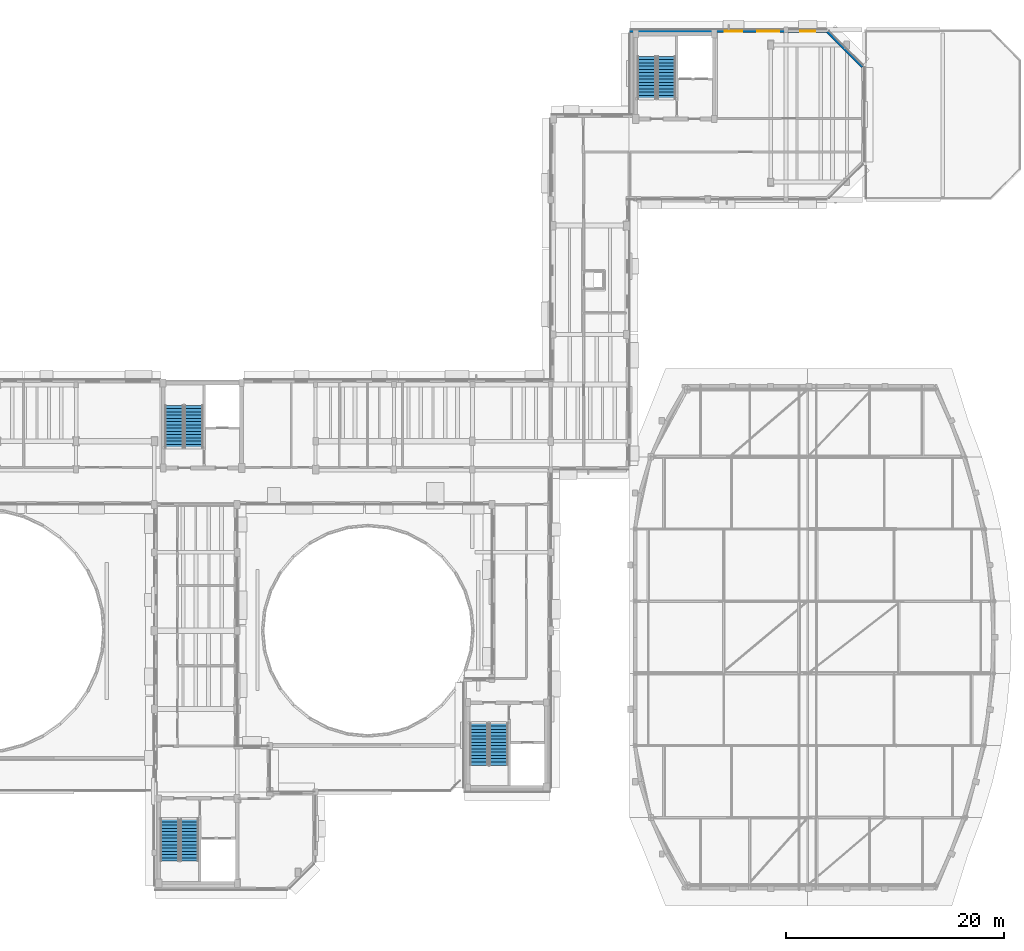
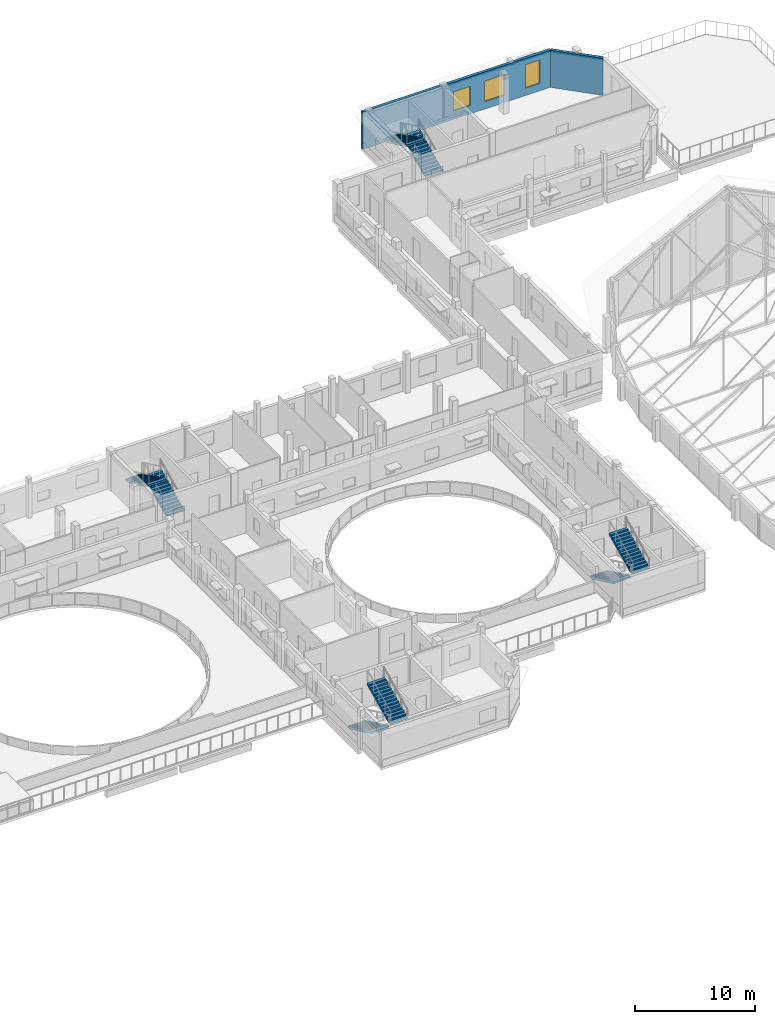
# One storey, part 68 of 78: 8 stair flights, 3 windows, 2 walls, 3 openings, 4 elements without a shape of their own.
"""IFC4 building model written with IfcOpenShell, lengths in metres."""

from ifc_helpers import new_model, si_unit, direction, frame, frame_2d, origin, place, context, subcontext, project, spatial, polyline, rectangle, outline, extrude, material, layer, layer_set, type_object, element, fill, aggregate, save


model = new_model("IFC4")

# Units and contexts
model_context = context("Model", 3, precision=1e-05, world=origin(), true_north=direction((0.0, 1.0)))
body_context = subcontext(model_context, "Body", "Model", "MODEL_VIEW")
ifc_project = project(units=[si_unit("LENGTHUNIT", "METRE"), si_unit("AREAUNIT", "SQUARE_METRE"), si_unit("VOLUMEUNIT", "CUBIC_METRE"), si_unit("PLANEANGLEUNIT", "RADIAN"), si_unit("MASSUNIT", "GRAM", prefix="KILO")], contexts=[model_context])

# Site, building, storey
site_placement = place(None, origin())
site = spatial("IfcSite", under=ifc_project, at=site_placement, CompositionType="ELEMENT")
building_placement = place(site_placement, origin())
building = spatial("IfcBuilding", under=site, at=building_placement, Name="Kelanivale Promenade Academy", CompositionType="ELEMENT")
storey_placement = place(building_placement, frame((0.0, 0.0, 16.199951171875)))
storey = spatial("IfcBuildingStorey", under=building, at=storey_placement, Name="L04", CompositionType="ELEMENT", Elevation=16.199951171875)

# Wall
ifc_material_1 = material(Name="Insulated ivory stucco masonry wall 280 mm", Category="masonry")
ifc_layer = layer(ifc_material_1, 0.280029296875)
ifc_layer_set = layer_set([ifc_layer], Name="Insulated ivory stucco masonry wall 280 mm")
wall_type = type_object("IfcWallType", Name="EW-02 Wall 280mm", PredefinedType="SOLIDWALL", material=ifc_layer_set)
wall_1_placement = place(storey_placement, frame((144.216064453125, 108.60498046875, 0.0), z_axis=(0.0, 0.0, 1.0), x_axis=(-0.707133661755, 0.707079899597, 0.0)))
element("IfcWall", 1, at=wall_1_placement, inside=storey, type_object=wall_type, Name="L04 exterior facade wall EW-L04-ORT-0536", PredefinedType="SOLIDWALL", context=body_context, shape_type="SweptSolid", body=[
    extrude(rectangle(XDim=4.541015625, YDim=0.280029296875, at=frame_2d((2.2705078125, 0.0))), origin(), (0.0, 0.0, 1.0), 3.780029296875),
])

# Wall, openings, windows
wall_2_placement = place(storey_placement, frame((141.01708984375, 111.860107421875, 0.0), z_axis=(0.0, 0.0, 1.0), x_axis=(-1.0, 0.0, 0.0)))
wall_2 = element("IfcWall", 2, at=wall_2_placement, inside=storey, type_object=wall_type, Name="L04 exterior facade wall EW-L04-ORT-0537", PredefinedType="SOLIDWALL", context=body_context, shape_type="SweptSolid", body=[
    extrude(rectangle(XDim=18.1669921875, YDim=0.280029296875, at=frame_2d((9.08349609375, 0.0))), origin(), (0.0, 0.0, 1.0), 3.780029296875),
])
opening_1_placement = place(wall_2_placement, frame((1.116943359375, 0.0, 0.75)))
opening_1 = element("IfcOpeningElement", 3, at=opening_1_placement, cuts=wall_2, Name="Opening WT-13", PredefinedType="OPENING", context=body_context, shape_type="SweptSolid", body=[
    extrude(rectangle(XDim=1.39990234375, YDim=2.39990234375, at=frame_2d((0.699951171875, 1.199951171875))), frame((0.0, 0.14990234375, 0.0), z_axis=(0.0, -1.0, 0.0), x_axis=(1.0, 0.0, 0.0)), (0.0, 0.0, 1.0), 0.300048828125),
])
opening_2_placement = place(wall_2_placement, frame((4.449951171875, 0.0, 0.75)))
opening_2 = element("IfcOpeningElement", 4, at=opening_2_placement, cuts=wall_2, Name="Opening WT-14", PredefinedType="OPENING", context=body_context, shape_type="SweptSolid", body=[
    extrude(rectangle(XDim=2.0, YDim=2.10009765625, at=frame_2d((1.0, 1.050048828125))), frame((0.0, 0.14990234375, 0.0), z_axis=(0.0, -1.0, 0.0), x_axis=(1.0, 0.0, 0.0)), (0.0, 0.0, 1.0), 0.300048828125),
])
opening_3_placement = place(wall_2_placement, frame((7.80908203125, 0.0, 0.85009765625)))
opening_3 = element("IfcOpeningElement", 5, at=opening_3_placement, cuts=wall_2, Name="Opening WT-16", PredefinedType="OPENING", context=body_context, shape_type="SweptSolid", body=[
    extrude(rectangle(XDim=1.64990234375, YDim=1.949951171875, at=frame_2d((0.824951171875, 0.97509765625))), frame((0.0, 0.14990234375, 0.0), z_axis=(0.0, -1.0, 0.0), x_axis=(1.0, 0.0, 0.0)), (0.0, 0.0, 1.0), 0.300048828125),
])
ifc_material_2 = material(Name="Bronze anodised aluminium frame with low-E laminated glass", Category="aluminium")
window_type_1 = type_object("IfcWindowType", Name="WT-13 Window 1400x2400", PartitioningType="SINGLE_PANEL", PredefinedType="WINDOW", material=ifc_material_2)
window_1_placement = place(opening_1_placement, origin())
window_1 = element("IfcWindow", 6, at=window_1_placement, inside=storey, type_object=window_type_1, Name="Window WT-13", OverallHeight=2.39990234375, OverallWidth=1.39990234375, PartitioningType="SINGLE_PANEL", PredefinedType="WINDOW", context=body_context, shape_type="SweptSolid", body=[
    extrude(rectangle(XDim=1.39990234375, YDim=2.39990234375, at=frame_2d((0.699951171875, 1.199951171875))), frame((0.0, 0.030029296875, 0.0), z_axis=(0.0, -1.0, 0.0), x_axis=(1.0, 0.0, 0.0)), (0.0, 0.0, 1.0), 0.06005859375),
])
fill(opening_1, window_1)
window_type_2 = type_object("IfcWindowType", Name="WT-14 Window 2000x2100", PartitioningType="SINGLE_PANEL", PredefinedType="WINDOW", material=ifc_material_2)
window_2_placement = place(opening_2_placement, origin())
window_2 = element("IfcWindow", 7, at=window_2_placement, inside=storey, type_object=window_type_2, Name="Window WT-14", OverallHeight=2.10009765625, OverallWidth=2.0, PartitioningType="SINGLE_PANEL", PredefinedType="WINDOW", context=body_context, shape_type="SweptSolid", body=[
    extrude(rectangle(XDim=2.0, YDim=2.10009765625, at=frame_2d((1.0, 1.050048828125))), frame((0.0, 0.030029296875, 0.0), z_axis=(0.0, -1.0, 0.0), x_axis=(1.0, 0.0, 0.0)), (0.0, 0.0, 1.0), 0.06005859375),
])
fill(opening_2, window_2)
window_type_3 = type_object("IfcWindowType", Name="WT-16 Window 1650x1950", PartitioningType="SINGLE_PANEL", PredefinedType="WINDOW", material=ifc_material_2)
window_3_placement = place(opening_3_placement, origin())
window_3 = element("IfcWindow", 8, at=window_3_placement, inside=storey, type_object=window_type_3, Name="Window WT-16", OverallHeight=1.949951171875, OverallWidth=1.64990234375, PartitioningType="SINGLE_PANEL", PredefinedType="WINDOW", context=body_context, shape_type="SweptSolid", body=[
    extrude(rectangle(XDim=1.64990234375, YDim=1.949951171875, at=frame_2d((0.824951171875, 0.97509765625))), frame((0.0, 0.030029296875, 0.0), z_axis=(0.0, -1.0, 0.0), x_axis=(1.0, 0.0, 0.0)), (0.0, 0.0, 1.0), 0.06005859375),
])
fill(opening_3, window_3)

# Stair, stair flight
ifc_material_3 = material(Name="Concrete C35/45", Category="concrete")
stair_type = type_object("IfcStairType", Name="ST-T02 Protected dog-leg upper-storey stair", PredefinedType="HALF_TURN_STAIR", material=ifc_material_3)
stair_1_placement = place(storey_placement, origin())
stair_1 = element("IfcStair", 9, at=stair_1_placement, inside=storey, type_object=stair_type, Name="L04 ST-01", PredefinedType="HALF_TURN_STAIR")
stair_flight_type_1 = type_object("IfcStairFlightType", Name="SF-T03 Core stair RC flight 14 risers x 142", PredefinedType="STRAIGHT", material=ifc_material_3)
stair_flight_1_placement = place(storey_placement, frame((80.610107421875, 39.544921875, 0.0), z_axis=(0.0, 0.0, 1.0), x_axis=(0.0, -1.0, 0.0)))
stair_flight_1 = element("IfcStairFlight", 10, at=stair_flight_1_placement, type_object=stair_flight_type_1, Name="ST-01 flight 1", NumberOfRisers=14, NumberOfTreads=13, PredefinedType="STRAIGHT", RiserHeight=0.142857143, TreadLength=0.3, context=body_context, shape_type="SweptSolid", body=[
    extrude(outline(polyline([(0.0, 0.0), (0.0, 0.142822265625), (0.300048828125, 0.142822265625), (0.300048828125, 0.28564453125), (0.60009765625, 0.28564453125), (0.60009765625, 0.428466796875), (0.89990234375, 0.428466796875), (0.89990234375, 0.571533203125), (1.199951171875, 0.571533203125), (1.199951171875, 0.71435546875), (1.5, 0.71435546875), (1.5, 0.857177734375), (1.800048828125, 0.857177734375), (1.800048828125, 1.0), (2.10009765625, 1.0), (2.10009765625, 1.142822265625), (2.39990234375, 1.142822265625), (2.39990234375, 1.28564453125), (2.699951171875, 1.28564453125), (2.699951171875, 1.428466796875), (3.0, 1.428466796875), (3.0, 1.571533203125), (3.300048828125, 1.571533203125), (3.300048828125, 1.71435546875), (3.60009765625, 1.71435546875), (3.60009765625, 1.857177734375), (3.89990234375, 1.857177734375), (3.89990234375, 2.0), (3.89990234375, 1.657958984375), (0.41845703125, 0.0), (0.0, 0.0)])), frame((0.0, 0.844970703125, 0.0), z_axis=(0.0, -1.0, 0.0), x_axis=(1.0, 0.0, 0.0)), (0.0, 0.0, 1.0), 1.68994140625),
])

stair_2_placement = place(storey_placement, origin())
stair_2 = element("IfcStair", 11, at=stair_2_placement, inside=storey, type_object=stair_type, Name="L04 ST-02", PredefinedType="HALF_TURN_STAIR")
stair_flight_2_placement = place(storey_placement, frame((82.820068359375, 73.60498046875, 0.0), z_axis=(0.0, 0.0, 1.0), x_axis=(0.0, 1.0, 0.0)))
stair_flight_2 = element("IfcStairFlight", 12, at=stair_flight_2_placement, type_object=stair_flight_type_1, Name="ST-02 flight 1", NumberOfRisers=14, NumberOfTreads=13, PredefinedType="STRAIGHT", RiserHeight=0.142857143, TreadLength=0.3, context=body_context, shape_type="SweptSolid", body=[
    extrude(outline(polyline([(0.0, 0.0), (0.0, 0.142822265625), (0.300048828125, 0.142822265625), (0.300048828125, 0.28564453125), (0.60009765625, 0.28564453125), (0.60009765625, 0.428466796875), (0.89990234375, 0.428466796875), (0.89990234375, 0.571533203125), (1.199951171875, 0.571533203125), (1.199951171875, 0.71435546875), (1.5, 0.71435546875), (1.5, 0.857177734375), (1.800048828125, 0.857177734375), (1.800048828125, 1.0), (2.10009765625, 1.0), (2.10009765625, 1.142822265625), (2.39990234375, 1.142822265625), (2.39990234375, 1.28564453125), (2.699951171875, 1.28564453125), (2.699951171875, 1.428466796875), (3.0, 1.428466796875), (3.0, 1.571533203125), (3.300048828125, 1.571533203125), (3.300048828125, 1.71435546875), (3.60009765625, 1.71435546875), (3.60009765625, 1.857177734375), (3.89990234375, 1.857177734375), (3.89990234375, 2.0), (3.89990234375, 1.657958984375), (0.41845703125, 0.0), (0.0, 0.0)])), frame((0.0, 0.844970703125, 0.0), z_axis=(0.0, -1.0, 0.0), x_axis=(1.0, 0.0, 0.0)), (0.0, 0.0, 1.0), 1.68994140625),
])

stair_3_placement = place(storey_placement, origin())
stair_3 = element("IfcStair", 13, at=stair_3_placement, inside=storey, type_object=stair_type, Name="L04 ST-03", PredefinedType="HALF_TURN_STAIR")
stair_flight_3_placement = place(storey_placement, frame((109.010009765625, 48.344970703125, 0.0), z_axis=(0.0, 0.0, 1.0), x_axis=(0.0, -1.0, 0.0)))
stair_flight_3 = element("IfcStairFlight", 14, at=stair_flight_3_placement, type_object=stair_flight_type_1, Name="ST-03 flight 1", NumberOfRisers=14, NumberOfTreads=13, PredefinedType="STRAIGHT", RiserHeight=0.142857143, TreadLength=0.3, context=body_context, shape_type="SweptSolid", body=[
    extrude(outline(polyline([(0.0, 0.0), (0.0, 0.142822265625), (0.300048828125, 0.142822265625), (0.300048828125, 0.28564453125), (0.60009765625, 0.28564453125), (0.60009765625, 0.428466796875), (0.89990234375, 0.428466796875), (0.89990234375, 0.571533203125), (1.199951171875, 0.571533203125), (1.199951171875, 0.71435546875), (1.5, 0.71435546875), (1.5, 0.857177734375), (1.800048828125, 0.857177734375), (1.800048828125, 1.0), (2.10009765625, 1.0), (2.10009765625, 1.142822265625), (2.39990234375, 1.142822265625), (2.39990234375, 1.28564453125), (2.699951171875, 1.28564453125), (2.699951171875, 1.428466796875), (3.0, 1.428466796875), (3.0, 1.571533203125), (3.300048828125, 1.571533203125), (3.300048828125, 1.71435546875), (3.60009765625, 1.71435546875), (3.60009765625, 1.857177734375), (3.89990234375, 1.857177734375), (3.89990234375, 2.0), (3.89990234375, 1.657958984375), (0.41845703125, 0.0), (0.0, 0.0)])), frame((0.0, 0.844970703125, 0.0), z_axis=(0.0, -1.0, 0.0), x_axis=(1.0, 0.0, 0.0)), (0.0, 0.0, 1.0), 1.68994140625),
])

stair_4_placement = place(storey_placement, origin())
stair_4 = element("IfcStair", 15, at=stair_4_placement, inside=storey, type_object=stair_type, Name="L04 ST-05", PredefinedType="HALF_TURN_STAIR")
stair_flight_4_placement = place(storey_placement, frame((126.219970703125, 105.655029296875, 0.0), z_axis=(0.0, 0.0, 1.0), x_axis=(0.0, 1.0, 0.0)))
stair_flight_4 = element("IfcStairFlight", 16, at=stair_flight_4_placement, type_object=stair_flight_type_1, Name="ST-05 flight 1", NumberOfRisers=14, NumberOfTreads=13, PredefinedType="STRAIGHT", RiserHeight=0.142857143, TreadLength=0.3, context=body_context, shape_type="SweptSolid", body=[
    extrude(outline(polyline([(0.0, 0.0), (0.0, 0.142822265625), (0.300048828125, 0.142822265625), (0.300048828125, 0.28564453125), (0.60009765625, 0.28564453125), (0.60009765625, 0.428466796875), (0.89990234375, 0.428466796875), (0.89990234375, 0.571533203125), (1.199951171875, 0.571533203125), (1.199951171875, 0.71435546875), (1.5, 0.71435546875), (1.5, 0.857177734375), (1.800048828125, 0.857177734375), (1.800048828125, 1.0), (2.10009765625, 1.0), (2.10009765625, 1.142822265625), (2.39990234375, 1.142822265625), (2.39990234375, 1.28564453125), (2.699951171875, 1.28564453125), (2.699951171875, 1.428466796875), (3.0, 1.428466796875), (3.0, 1.571533203125), (3.300048828125, 1.571533203125), (3.300048828125, 1.71435546875), (3.60009765625, 1.71435546875), (3.60009765625, 1.857177734375), (3.89990234375, 1.857177734375), (3.89990234375, 2.0), (3.89990234375, 1.657958984375), (0.41845703125, 0.0), (0.0, 0.0)])), frame((0.0, 0.844970703125, 0.0), z_axis=(0.0, -1.0, 0.0), x_axis=(1.0, 0.0, 0.0)), (0.0, 0.0, 1.0), 1.68994140625),
])

# Stair flight
stair_flight_type_2 = type_object("IfcStairFlightType", Name="SF-T04 Core stair RC return flight 14 riser", PredefinedType="STRAIGHT", material=ifc_material_3)
stair_flight_5_placement = place(storey_placement, frame((82.419921875, 35.64501953125, 2.0), z_axis=(0.0, 0.0, 1.0), x_axis=(0.0, 1.0, 0.0)))
stair_flight_5 = element("IfcStairFlight", 17, at=stair_flight_5_placement, type_object=stair_flight_type_2, Name="ST-01 flight 2", NumberOfRisers=14, NumberOfTreads=13, PredefinedType="STRAIGHT", RiserHeight=0.142857143, TreadLength=0.3, context=body_context, shape_type="SweptSolid", body=[
    extrude(outline(polyline([(0.0, 0.0), (0.0, 0.142822265625), (0.300048828125, 0.142822265625), (0.300048828125, 0.28564453125), (0.60009765625, 0.28564453125), (0.60009765625, 0.428466796875), (0.89990234375, 0.428466796875), (0.89990234375, 0.571533203125), (1.199951171875, 0.571533203125), (1.199951171875, 0.71435546875), (1.5, 0.71435546875), (1.5, 0.857177734375), (1.800048828125, 0.857177734375), (1.800048828125, 1.0), (2.10009765625, 1.0), (2.10009765625, 1.142822265625), (2.39990234375, 1.142822265625), (2.39990234375, 1.28564453125), (2.699951171875, 1.28564453125), (2.699951171875, 1.428466796875), (3.0, 1.428466796875), (3.0, 1.571533203125), (3.300048828125, 1.571533203125), (3.300048828125, 1.71435546875), (3.60009765625, 1.71435546875), (3.60009765625, 1.857177734375), (3.89990234375, 1.857177734375), (3.89990234375, 2.0), (3.89990234375, 1.657958984375), (0.41845703125, 0.0), (0.0, 0.0)])), frame((0.0, 0.844970703125, 0.0), z_axis=(0.0, -1.0, 0.0), x_axis=(1.0, 0.0, 0.0)), (0.0, 0.0, 1.0), 1.68994140625),
])

aggregate(stair_1, [stair_flight_1, stair_flight_5])

stair_flight_6_placement = place(storey_placement, frame((81.010009765625, 77.5048828125, 2.0), z_axis=(0.0, 0.0, 1.0), x_axis=(0.0, -1.0, 0.0)))
stair_flight_6 = element("IfcStairFlight", 18, at=stair_flight_6_placement, type_object=stair_flight_type_2, Name="ST-02 flight 2", NumberOfRisers=14, NumberOfTreads=13, PredefinedType="STRAIGHT", RiserHeight=0.142857143, TreadLength=0.3, context=body_context, shape_type="SweptSolid", body=[
    extrude(outline(polyline([(0.0, 0.0), (0.0, 0.142822265625), (0.300048828125, 0.142822265625), (0.300048828125, 0.28564453125), (0.60009765625, 0.28564453125), (0.60009765625, 0.428466796875), (0.89990234375, 0.428466796875), (0.89990234375, 0.571533203125), (1.199951171875, 0.571533203125), (1.199951171875, 0.71435546875), (1.5, 0.71435546875), (1.5, 0.857177734375), (1.800048828125, 0.857177734375), (1.800048828125, 1.0), (2.10009765625, 1.0), (2.10009765625, 1.142822265625), (2.39990234375, 1.142822265625), (2.39990234375, 1.28564453125), (2.699951171875, 1.28564453125), (2.699951171875, 1.428466796875), (3.0, 1.428466796875), (3.0, 1.571533203125), (3.300048828125, 1.571533203125), (3.300048828125, 1.71435546875), (3.60009765625, 1.71435546875), (3.60009765625, 1.857177734375), (3.89990234375, 1.857177734375), (3.89990234375, 2.0), (3.89990234375, 1.657958984375), (0.41845703125, 0.0), (0.0, 0.0)])), frame((0.0, 0.844970703125, 0.0), z_axis=(0.0, -1.0, 0.0), x_axis=(1.0, 0.0, 0.0)), (0.0, 0.0, 1.0), 1.68994140625),
])

aggregate(stair_2, [stair_flight_2, stair_flight_6])

stair_flight_7_placement = place(storey_placement, frame((110.820068359375, 44.445068359375, 2.0), z_axis=(0.0, 0.0, 1.0), x_axis=(0.0, 1.0, 0.0)))
stair_flight_7 = element("IfcStairFlight", 19, at=stair_flight_7_placement, type_object=stair_flight_type_2, Name="ST-03 flight 2", NumberOfRisers=14, NumberOfTreads=13, PredefinedType="STRAIGHT", RiserHeight=0.142857143, TreadLength=0.3, context=body_context, shape_type="SweptSolid", body=[
    extrude(outline(polyline([(0.0, 0.0), (0.0, 0.142822265625), (0.300048828125, 0.142822265625), (0.300048828125, 0.28564453125), (0.60009765625, 0.28564453125), (0.60009765625, 0.428466796875), (0.89990234375, 0.428466796875), (0.89990234375, 0.571533203125), (1.199951171875, 0.571533203125), (1.199951171875, 0.71435546875), (1.5, 0.71435546875), (1.5, 0.857177734375), (1.800048828125, 0.857177734375), (1.800048828125, 1.0), (2.10009765625, 1.0), (2.10009765625, 1.142822265625), (2.39990234375, 1.142822265625), (2.39990234375, 1.28564453125), (2.699951171875, 1.28564453125), (2.699951171875, 1.428466796875), (3.0, 1.428466796875), (3.0, 1.571533203125), (3.300048828125, 1.571533203125), (3.300048828125, 1.71435546875), (3.60009765625, 1.71435546875), (3.60009765625, 1.857177734375), (3.89990234375, 1.857177734375), (3.89990234375, 2.0), (3.89990234375, 1.657958984375), (0.41845703125, 0.0), (0.0, 0.0)])), frame((0.0, 0.844970703125, 0.0), z_axis=(0.0, -1.0, 0.0), x_axis=(1.0, 0.0, 0.0)), (0.0, 0.0, 1.0), 1.68994140625),
])

aggregate(stair_3, [stair_flight_3, stair_flight_7])

stair_flight_8_placement = place(storey_placement, frame((124.409912109375, 109.554931640625, 2.0), z_axis=(0.0, 0.0, 1.0), x_axis=(0.0, -1.0, 0.0)))
stair_flight_8 = element("IfcStairFlight", 20, at=stair_flight_8_placement, type_object=stair_flight_type_2, Name="ST-05 flight 2", NumberOfRisers=14, NumberOfTreads=13, PredefinedType="STRAIGHT", RiserHeight=0.142857143, TreadLength=0.3, context=body_context, shape_type="SweptSolid", body=[
    extrude(outline(polyline([(0.0, 0.0), (0.0, 0.142822265625), (0.300048828125, 0.142822265625), (0.300048828125, 0.28564453125), (0.60009765625, 0.28564453125), (0.60009765625, 0.428466796875), (0.89990234375, 0.428466796875), (0.89990234375, 0.571533203125), (1.199951171875, 0.571533203125), (1.199951171875, 0.71435546875), (1.5, 0.71435546875), (1.5, 0.857177734375), (1.800048828125, 0.857177734375), (1.800048828125, 1.0), (2.10009765625, 1.0), (2.10009765625, 1.142822265625), (2.39990234375, 1.142822265625), (2.39990234375, 1.28564453125), (2.699951171875, 1.28564453125), (2.699951171875, 1.428466796875), (3.0, 1.428466796875), (3.0, 1.571533203125), (3.300048828125, 1.571533203125), (3.300048828125, 1.71435546875), (3.60009765625, 1.71435546875), (3.60009765625, 1.857177734375), (3.89990234375, 1.857177734375), (3.89990234375, 2.0), (3.89990234375, 1.657958984375), (0.41845703125, 0.0), (0.0, 0.0)])), frame((0.0, 0.844970703125, 0.0), z_axis=(0.0, -1.0, 0.0), x_axis=(1.0, 0.0, 0.0)), (0.0, 0.0, 1.0), 1.68994140625),
])

aggregate(stair_4, [stair_flight_4, stair_flight_8])

save(model, "model.ifc")
